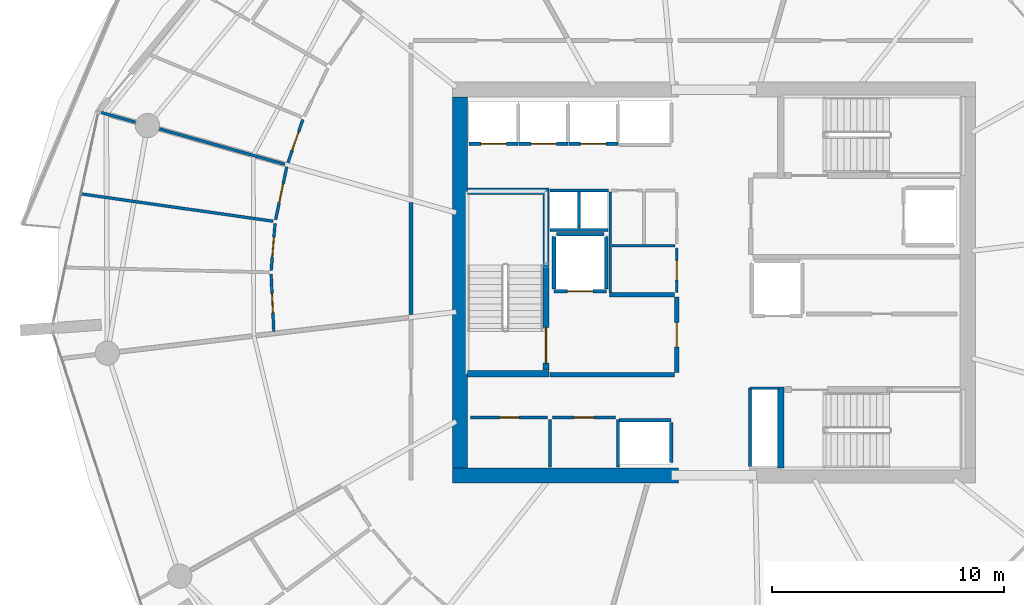
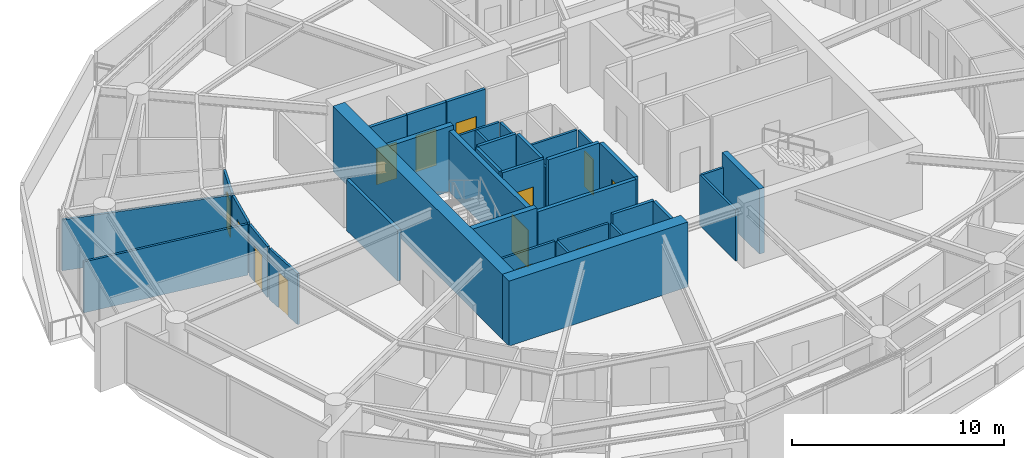
# One storey, part 12 of 21: 37 walls, 13 doors, 13 openings.
"""IFC4 building model written with IfcOpenShell, lengths in metres."""

from ifc_helpers import new_model, si_unit, direction, frame, frame_2d, origin, place, context, subcontext, project, spatial, rectangle, extrude, material, layer, layer_set, type_object, element, fill, save


model = new_model("IFC4")

# Units and contexts
model_context = context("Model", 3, precision=1e-05, world=origin(), true_north=direction((0.0, 1.0)))
body_context = subcontext(model_context, "Body", "Model", "MODEL_VIEW")
ifc_project = project(units=[si_unit("LENGTHUNIT", "METRE"), si_unit("AREAUNIT", "SQUARE_METRE"), si_unit("VOLUMEUNIT", "CUBIC_METRE"), si_unit("PLANEANGLEUNIT", "RADIAN"), si_unit("MASSUNIT", "GRAM", prefix="KILO")], contexts=[model_context])

# Site, building, storey
site_placement = place(None, origin())
site = spatial("IfcSite", under=ifc_project, at=site_placement, CompositionType="ELEMENT")
building_placement = place(site_placement, origin())
building = spatial("IfcBuilding", under=site, at=building_placement, Name="Kazma Halo Residences", CompositionType="ELEMENT")
storey_placement = place(building_placement, frame((0.0, 0.0, 180.300048828125)))
storey = spatial("IfcBuildingStorey", under=building, at=storey_placement, Name="L45", CompositionType="ELEMENT", Elevation=180.300048828125)

# Walls
ifc_material_1 = material(Name="Concrete C60/75", Category="concrete")
ifc_layer_1 = layer(ifc_material_1, 0.64990234375)
ifc_layer_set_1 = layer_set([ifc_layer_1], Name="Concrete C60/75")
wall_type_1 = type_object("IfcWallType", Name="WL-CORE-650", PredefinedType="SHEAR", material=ifc_layer_set_1)
wall_1_placement = place(storey_placement, frame((37.14990234375, 33.675048828125, 0.0), z_axis=(0.0, 0.0, 1.0), x_axis=(1.0, 0.0, 0.0)))
element("IfcWall", 1, at=wall_1_placement, inside=storey, type_object=wall_type_1, Name="L45 central core shear wall SW", PredefinedType="SHEAR", context=body_context, shape_type="SweptSolid", body=[
    extrude(rectangle(XDim=9.75, YDim=0.64990234375, at=frame_2d((4.875, 0.0))), origin(), (0.0, 0.0, 1.0), 3.75),
])
wall_2_placement = place(storey_placement, frame((37.47509765625, 34.0, 0.0), z_axis=(0.0, 0.0, 1.0), x_axis=(0.0, 1.0, 0.0)))
element("IfcWall", 2, at=wall_2_placement, inside=storey, type_object=wall_type_1, Name="L45 central core shear wall W", PredefinedType="SHEAR", context=body_context, shape_type="SweptSolid", body=[
    extrude(rectangle(XDim=16.0, YDim=0.64990234375, at=frame_2d((8.0, 0.0))), origin(), (0.0, 0.0, 1.0), 3.75),
])
ifc_layer_2 = layer(ifc_material_1, 0.280029296875)
ifc_layer_set_2 = layer_set([ifc_layer_2], Name="Concrete C60/75")
wall_type_2 = type_object("IfcWallType", Name="WL-CORE-ST-280", PredefinedType="SHEAR", material=ifc_layer_set_2)
for number, where, z_axis, x_axis, name in (
    (3, (37.800048828125, 38.06005859375, 0.0), (0.0, 0.0, 1.0), (1.0, 0.0, 0.0), "L45 stairwell bearing wall ST01-S"),
    (4, (37.800048828125, 45.93994140625, 0.0), (0.0, 0.0, 1.0), (1.0, 0.0, 0.0), "L45 stairwell bearing wall ST01-N"),
    (5, (51.31005859375, 34.0, 0.0), (0.0, 0.0, 1.0), (0.0, 1.0, 0.0), "L45 stairwell bearing wall ST03-W"),
):
    element("IfcWall", number, at=place(storey_placement, frame(where, z_axis=z_axis, x_axis=x_axis)), inside=storey, type_object=wall_type_2, Name=name, PredefinedType="SHEAR", context=body_context, shape_type="SweptSolid", body=[
        extrude(rectangle(XDim=3.5, YDim=0.280029296875, at=frame_2d((1.75, 0.0))), origin(), (0.0, 0.0, 1.0), 3.75),
    ])
ifc_material_2 = material(Name="Acoustic Twin-Stud Gypsum")
ifc_layer_3 = layer(ifc_material_2, 0.179931640625)
ifc_layer_set_3 = layer_set([ifc_layer_3], Name="Acoustic Twin-Stud Gypsum")
wall_type_3 = type_object("IfcWallType", Name="WL-DEM-180", PredefinedType="PARTITIONING", material=ifc_layer_set_3)
wall_3_placement = place(storey_placement, frame((35.35009765625, 45.44775390625, 0.0), z_axis=(0.0, 0.0, 1.0), x_axis=(0.0, -1.0, 0.0)))
element("IfcWall", 6, at=wall_3_placement, inside=storey, type_object=wall_type_3, Name="L45 Apartment 2 inner wall 6", PredefinedType="PARTITIONING", context=body_context, shape_type="SweptSolid", body=[
    extrude(rectangle(XDim=4.824951171875, YDim=0.179931640625, at=frame_2d((2.41259765625, 0.0))), origin(), (0.0, 0.0, 1.0), 2.93994140625),
])

# Wall, opening, door
ifc_material_3 = material(Name="Fire-Rated Blockwork Masonry", Category="masonry")
ifc_layer_4 = layer(ifc_material_3, 0.199951171875)
ifc_layer_set_4 = layer_set([ifc_layer_4], Name="Fire-Rated Blockwork Masonry")
wall_type_4 = type_object("IfcWallType", Name="WL-FLB-200", PredefinedType="PARTITIONING", material=ifc_layer_set_4)
wall_4_placement = place(storey_placement, frame((39.97509765625, 47.9951171875, 0.0), z_axis=(0.0, 0.0, 1.0), x_axis=(-1.0, 0.0, 0.0)))
wall_4 = element("IfcWall", 7, at=wall_4_placement, inside=storey, type_object=wall_type_4, Name="L45 lift shaft PM-01 front wall", PredefinedType="PARTITIONING", context=body_context, shape_type="SweptSolid", body=[
    extrude(rectangle(XDim=2.110107421875, YDim=0.159912109375, at=frame_2d((1.05517578125, 0.0))), origin(), (0.0, 0.0, 1.0), 3.5),
])
opening_1_placement = place(wall_4_placement, frame((0.5048828125, 0.0, 0.0)))
opening_1 = element("IfcOpeningElement", 8, at=opening_1_placement, cuts=wall_4, Name="Opening LD-PM-01", PredefinedType="OPENING", context=body_context, shape_type="SweptSolid", body=[
    extrude(rectangle(XDim=1.10009765625, YDim=2.10009765625, at=frame_2d((0.550048828125, 1.050048828125))), frame((0.0, 0.08984375, 0.0), z_axis=(0.0, -1.0, 0.0), x_axis=(1.0, 0.0, 0.0)), (0.0, 0.0, 1.0), 0.179931640625),
])
ifc_material_4 = material(Name="Stainless Steel Fire-Rated", Category="steel")
door_type_1 = type_object("IfcDoorType", Name="DR-LIFT-SLD-1100", OperationType="DOUBLE_DOOR_SLIDING", PredefinedType="DOOR", material=ifc_material_4)
door_1_placement = place(opening_1_placement, origin())
door_1 = element("IfcDoor", 9, at=door_1_placement, inside=storey, type_object=door_type_1, Name="L45 lift PM-01 sliding landing door", OperationType="DOUBLE_DOOR_SLIDING", OverallHeight=2.10009765625, OverallWidth=1.10009765625, PredefinedType="DOOR", context=body_context, shape_type="SweptSolid", body=[
    extrude(rectangle(XDim=1.10009765625, YDim=2.10009765625, at=frame_2d((0.550048828125, 1.050048828125))), frame((0.0, 0.02490234375, 0.0), z_axis=(0.0, -1.0, 0.0), x_axis=(1.0, 0.0, 0.0)), (0.0, 0.0, 1.0), 0.050048828125),
])
fill(opening_1, door_1)

wall_5_placement = place(storey_placement, frame((42.125, 47.9951171875, 0.0), z_axis=(0.0, 0.0, 1.0), x_axis=(-1.0, 0.0, 0.0)))
wall_5 = element("IfcWall", 10, at=wall_5_placement, inside=storey, type_object=wall_type_4, Name="L45 lift shaft PM-02 front wall", PredefinedType="PARTITIONING", context=body_context, shape_type="SweptSolid", body=[
    extrude(rectangle(XDim=2.110107421875, YDim=0.159912109375, at=frame_2d((1.05517578125, 0.0))), origin(), (0.0, 0.0, 1.0), 3.5),
])
opening_2_placement = place(wall_5_placement, frame((0.5048828125, 0.0, 0.0)))
opening_2 = element("IfcOpeningElement", 11, at=opening_2_placement, cuts=wall_5, Name="Opening LD-PM-02", PredefinedType="OPENING", context=body_context, shape_type="SweptSolid", body=[
    extrude(rectangle(XDim=1.10009765625, YDim=2.10009765625, at=frame_2d((0.550048828125, 1.050048828125))), frame((0.0, 0.08984375, 0.0), z_axis=(0.0, -1.0, 0.0), x_axis=(1.0, 0.0, 0.0)), (0.0, 0.0, 1.0), 0.179931640625),
])
door_2_placement = place(opening_2_placement, origin())
door_2 = element("IfcDoor", 12, at=door_2_placement, inside=storey, type_object=door_type_1, Name="L45 lift PM-02 sliding landing door", OperationType="DOUBLE_DOOR_SLIDING", OverallHeight=2.10009765625, OverallWidth=1.10009765625, PredefinedType="DOOR", context=body_context, shape_type="SweptSolid", body=[
    extrude(rectangle(XDim=1.10009765625, YDim=2.10009765625, at=frame_2d((0.550048828125, 1.050048828125))), frame((0.0, 0.02490234375, 0.0), z_axis=(0.0, -1.0, 0.0), x_axis=(1.0, 0.0, 0.0)), (0.0, 0.0, 1.0), 0.050048828125),
])
fill(opening_2, door_2)

wall_6_placement = place(storey_placement, frame((44.27490234375, 47.9951171875, 0.0), z_axis=(0.0, 0.0, 1.0), x_axis=(-1.0, 0.0, 0.0)))
wall_6 = element("IfcWall", 13, at=wall_6_placement, inside=storey, type_object=wall_type_4, Name="L45 lift shaft PM-03 front wall", PredefinedType="PARTITIONING", context=body_context, shape_type="SweptSolid", body=[
    extrude(rectangle(XDim=2.10986328125, YDim=0.159912109375, at=frame_2d((1.054931640625, 0.0))), origin(), (0.0, 0.0, 1.0), 3.5),
])
opening_3_placement = place(wall_6_placement, frame((0.5048828125, 0.0, 0.0)))
opening_3 = element("IfcOpeningElement", 14, at=opening_3_placement, cuts=wall_6, Name="Opening LD-PM-03", PredefinedType="OPENING", context=body_context, shape_type="SweptSolid", body=[
    extrude(rectangle(XDim=1.10009765625, YDim=2.10009765625, at=frame_2d((0.550048828125, 1.050048828125))), frame((0.0, 0.08984375, 0.0), z_axis=(0.0, -1.0, 0.0), x_axis=(1.0, 0.0, 0.0)), (0.0, 0.0, 1.0), 0.179931640625),
])
door_3_placement = place(opening_3_placement, origin())
door_3 = element("IfcDoor", 15, at=door_3_placement, inside=storey, type_object=door_type_1, Name="L45 lift PM-03 sliding landing door", OperationType="DOUBLE_DOOR_SLIDING", OverallHeight=2.10009765625, OverallWidth=1.10009765625, PredefinedType="DOOR", context=body_context, shape_type="SweptSolid", body=[
    extrude(rectangle(XDim=1.10009765625, YDim=2.10009765625, at=frame_2d((0.550048828125, 1.050048828125))), frame((0.0, 0.02490234375, 0.0), z_axis=(0.0, -1.0, 0.0), x_axis=(1.0, 0.0, 0.0)), (0.0, 0.0, 1.0), 0.050048828125),
])
fill(opening_3, door_3)

# Walls
wall_7_placement = place(storey_placement, frame((44.320068359375, 36.054931640625, 0.0), z_axis=(0.0, 0.0, 1.0), x_axis=(1.0, 0.0, 0.0)))
element("IfcWall", 16, at=wall_7_placement, inside=storey, type_object=wall_type_4, Name="L45 lift shaft PX-02 front wall", PredefinedType="PARTITIONING", context=body_context, shape_type="SweptSolid", body=[
    extrude(rectangle(XDim=2.260009765625, YDim=0.159912109375, at=frame_2d((1.1298828125, 0.0))), origin(), (0.0, 0.0, 1.0), 3.5),
])
wall_8_placement = place(storey_placement, frame((46.580078125, 34.2451171875, 0.0), z_axis=(0.0, 0.0, 1.0), x_axis=(0.0, 1.0, 0.0)))
element("IfcWall", 17, at=wall_8_placement, inside=storey, type_object=wall_type_4, Name="L45 lift shaft PX-02 side wall E", PredefinedType="PARTITIONING", context=body_context, shape_type="SweptSolid", body=[
    extrude(rectangle(XDim=1.7099609375, YDim=0.159912109375, at=frame_2d((0.85498046875, 0.0))), origin(), (0.0, 0.0, 1.0), 3.5),
])

# Wall, opening, door
wall_9_placement = place(storey_placement, frame((43.780029296875, 41.6201171875, 0.0), z_axis=(0.0, 0.0, 1.0), x_axis=(-1.0, 0.0, 0.0)))
wall_9 = element("IfcWall", 18, at=wall_9_placement, inside=storey, type_object=wall_type_4, Name="L45 lift shaft FL-01 front wall", PredefinedType="PARTITIONING", context=body_context, shape_type="SweptSolid", body=[
    extrude(rectangle(XDim=2.260009765625, YDim=0.159912109375, at=frame_2d((1.1298828125, 0.0))), origin(), (0.0, 0.0, 1.0), 3.5),
])
opening_4_placement = place(wall_9_placement, frame((0.580078125, 0.0, 0.0)))
opening_4 = element("IfcOpeningElement", 19, at=opening_4_placement, cuts=wall_9, Name="Opening LD-FL-01", PredefinedType="OPENING", context=body_context, shape_type="SweptSolid", body=[
    extrude(rectangle(XDim=1.10009765625, YDim=2.10009765625, at=frame_2d((0.550048828125, 1.050048828125))), frame((0.0, 0.08984375, 0.0), z_axis=(0.0, -1.0, 0.0), x_axis=(1.0, 0.0, 0.0)), (0.0, 0.0, 1.0), 0.179931640625),
])
door_4_placement = place(opening_4_placement, origin())
door_4 = element("IfcDoor", 20, at=door_4_placement, inside=storey, type_object=door_type_1, Name="L45 lift FL-01 sliding landing door", OperationType="DOUBLE_DOOR_SLIDING", OverallHeight=2.10009765625, OverallWidth=1.10009765625, PredefinedType="DOOR", context=body_context, shape_type="SweptSolid", body=[
    extrude(rectangle(XDim=1.10009765625, YDim=2.10009765625, at=frame_2d((0.550048828125, 1.050048828125))), frame((0.0, 0.02490234375, 0.0), z_axis=(0.0, -1.0, 0.0), x_axis=(1.0, 0.0, 0.0)), (0.0, 0.0, 1.0), 0.050048828125),
])
fill(opening_4, door_4)

# Walls
for number, where, z_axis, x_axis, name in (
    (21, (43.780029296875, 41.719970703125, 0.0), (0.0, 0.0, 1.0), (0.0, 1.0, 0.0), "L45 lift shaft FL-01 side wall E"),
    (22, (41.52001953125, 41.719970703125, 0.0), (0.0, 0.0, 1.0), (0.0, 1.0, 0.0), "L45 lift shaft FL-01 side wall W"),
):
    element("IfcWall", number, at=place(storey_placement, frame(where, z_axis=z_axis, x_axis=x_axis)), inside=storey, type_object=wall_type_4, Name=name, PredefinedType="PARTITIONING", context=body_context, shape_type="SweptSolid", body=[
        extrude(rectangle(XDim=2.260009765625, YDim=0.159912109375, at=frame_2d((1.1298828125, 0.0))), origin(), (0.0, 0.0, 1.0), 3.5),
    ])
wall_10_placement = place(storey_placement, frame((41.6201171875, 44.080078125, 0.0), z_axis=(0.0, 0.0, 1.0), x_axis=(1.0, 0.0, 0.0)))
element("IfcWall", 23, at=wall_10_placement, inside=storey, type_object=wall_type_4, Name="L45 lift shaft FL-01 side wall N", PredefinedType="PARTITIONING", context=body_context, shape_type="SweptSolid", body=[
    extrude(rectangle(XDim=2.059814453125, YDim=0.159912109375, at=frame_2d((1.02978515625, 0.0))), origin(), (0.0, 0.0, 1.0), 3.5),
])
wall_11_placement = place(storey_placement, frame((41.35009765625, 38.02001953125, 0.0), z_axis=(0.0, 0.0, 1.0), x_axis=(1.0, 0.0, 0.0)))
element("IfcWall", 24, at=wall_11_placement, inside=storey, type_object=wall_type_4, Name="L45 west firefighting lobby south smoke wall", PredefinedType="PARTITIONING", context=body_context, shape_type="SweptSolid", body=[
    extrude(rectangle(XDim=5.369873046875, YDim=0.199951171875, at=frame_2d((2.68505859375, 0.0))), origin(), (0.0, 0.0, 1.0), 3.5),
])
wall_12_placement = place(storey_placement, frame((43.919921875, 41.47998046875, 0.0), z_axis=(0.0, 0.0, 1.0), x_axis=(1.0, 0.0, 0.0)))
element("IfcWall", 25, at=wall_12_placement, inside=storey, type_object=wall_type_4, Name="L45 west firefighting lobby north smoke wall", PredefinedType="PARTITIONING", context=body_context, shape_type="SweptSolid", body=[
    extrude(rectangle(XDim=2.800048828125, YDim=0.199951171875, at=frame_2d((1.39990234375, 0.0))), origin(), (0.0, 0.0, 1.0), 3.5),
])

# Wall, opening, door
wall_13_placement = place(storey_placement, frame((46.820068359375, 38.1201171875, 0.0), z_axis=(0.0, 0.0, 1.0), x_axis=(0.0, 1.0, 0.0)))
wall_13 = element("IfcWall", 26, at=wall_13_placement, inside=storey, type_object=wall_type_4, Name="L45 west firefighting lobby smoke wall", PredefinedType="PARTITIONING", context=body_context, shape_type="SweptSolid", body=[
    extrude(rectangle(XDim=3.259765625, YDim=0.199951171875, at=frame_2d((1.6298828125, 0.0))), origin(), (0.0, 0.0, 1.0), 3.5),
])
opening_5_placement = place(wall_13_placement, frame((1.10498046875, 0.0, 0.0)))
opening_5 = element("IfcOpeningElement", 27, at=opening_5_placement, cuts=wall_13, Name="Opening D-FLW", PredefinedType="OPENING", context=body_context, shape_type="SweptSolid", body=[
    extrude(rectangle(XDim=1.050048828125, YDim=2.10009765625, at=frame_2d((0.52490234375, 1.050048828125))), frame((0.0, 0.10986328125, 0.0), z_axis=(0.0, -1.0, 0.0), x_axis=(1.0, 0.0, 0.0)), (0.0, 0.0, 1.0), 0.219970703125),
])
ifc_material_5 = material(Name="Fire-Rated Steel Leaf", Category="steel")
door_type_2 = type_object("IfcDoorType", Name="DR-FD90-1050", OperationType="NOTDEFINED", PredefinedType="DOOR", material=ifc_material_5)
door_5_placement = place(opening_5_placement, origin())
door_5 = element("IfcDoor", 28, at=door_5_placement, inside=storey, type_object=door_type_2, Name="L45 west firefighting lobby smoke door", OperationType="SINGLE_SWING_RIGHT", OverallHeight=2.10009765625, OverallWidth=1.050048828125, PredefinedType="DOOR", context=body_context, shape_type="SweptSolid", body=[
    extrude(rectangle(XDim=1.050048828125, YDim=2.10009765625, at=frame_2d((0.52490234375, 1.050048828125))), frame((0.0, 0.02490234375, 0.0), z_axis=(0.0, -1.0, 0.0), x_axis=(1.0, 0.0, 0.0)), (0.0, 0.0, 1.0), 0.050048828125),
])
fill(opening_5, door_5)

# Walls
ifc_material_6 = material(Name="Gypsum Plasterboard Partition")
ifc_layer_5 = layer(ifc_material_6, 0.125)
ifc_layer_set_5 = layer_set([ifc_layer_5], Name="Gypsum Plasterboard Partition")
wall_type_5 = type_object("IfcWallType", Name="WL-PART-125", PredefinedType="PARTITIONING", material=ifc_layer_set_5)
for number, where, z_axis, x_axis, name in (
    (29, (44.280029296875, 34.050048828125, 0.0), (0.0, 0.0, 1.0), (0.0, 1.0, 0.0), "L45 reclaimed south east wall"),
    (30, (41.35009765625, 34.050048828125, 0.0), (0.0, 0.0, 1.0), (0.0, 1.0, 0.0), "L45 reclaimed south divider wall"),
):
    element("IfcWall", number, at=place(storey_placement, frame(where, z_axis=z_axis, x_axis=x_axis)), inside=storey, type_object=wall_type_5, Name=name, PredefinedType="PARTITIONING", context=body_context, shape_type="SweptSolid", body=[
        extrude(rectangle(XDim=2.030029296875, YDim=0.125, at=frame_2d((1.01513671875, 0.0))), origin(), (0.0, 0.0, 1.0), 2.93994140625),
    ])

# Wall, opening, door
wall_14_placement = place(storey_placement, frame((37.919921875, 36.179931640625, 0.0), z_axis=(0.0, 0.0, 1.0), x_axis=(1.0, 0.0, 0.0)))
wall_14 = element("IfcWall", 31, at=wall_14_placement, inside=storey, type_object=wall_type_5, Name="L45 reclaimed south W front wall", PredefinedType="PARTITIONING", context=body_context, shape_type="SweptSolid", body=[
    extrude(rectangle(XDim=3.330078125, YDim=0.125, at=frame_2d((1.6650390625, 0.0))), origin(), (0.0, 0.0, 1.0), 2.93994140625),
])
opening_6_placement = place(wall_14_placement, frame((1.239990234375, 0.0, 0.0)))
opening_6 = element("IfcOpeningElement", 32, at=opening_6_placement, cuts=wall_14, Name="Opening DS-850", PredefinedType="OPENING", context=body_context, shape_type="SweptSolid", body=[
    extrude(rectangle(XDim=0.85009765625, YDim=2.06005859375, at=frame_2d((0.425048828125, 1.030029296875))), frame((0.0, 0.072509765625, 0.0), z_axis=(0.0, -1.0, 0.0), x_axis=(1.0, 0.0, 0.0)), (0.0, 0.0, 1.0), 0.14501953125),
])
ifc_material_7 = material(Name="Painted Steel Access Leaf", Category="steel")
door_type_3 = type_object("IfcDoorType", Name="DR-SVC-850", OperationType="NOTDEFINED", PredefinedType="DOOR", material=ifc_material_7)
door_6_placement = place(opening_6_placement, origin())
door_6 = element("IfcDoor", 33, at=door_6_placement, inside=storey, type_object=door_type_3, Name="L45 reclaimed south W door", OperationType="SINGLE_SWING_RIGHT", OverallHeight=2.06005859375, OverallWidth=0.85009765625, PredefinedType="DOOR", context=body_context, shape_type="SweptSolid", body=[
    extrude(rectangle(XDim=0.85009765625, YDim=2.06005859375, at=frame_2d((0.425048828125, 1.030029296875))), frame((0.0, 0.02490234375, 0.0), z_axis=(0.0, -1.0, 0.0), x_axis=(1.0, 0.0, 0.0)), (0.0, 0.0, 1.0), 0.050048828125),
])
fill(opening_6, door_6)

wall_15_placement = place(storey_placement, frame((41.449951171875, 36.179931640625, 0.0), z_axis=(0.0, 0.0, 1.0), x_axis=(1.0, 0.0, 0.0)))
wall_15 = element("IfcWall", 34, at=wall_15_placement, inside=storey, type_object=wall_type_5, Name="L45 reclaimed south E front wall", PredefinedType="PARTITIONING", context=body_context, shape_type="SweptSolid", body=[
    extrude(rectangle(XDim=2.72998046875, YDim=0.125, at=frame_2d((1.364990234375, 0.0))), origin(), (0.0, 0.0, 1.0), 2.93994140625),
])
opening_7_placement = place(wall_15_placement, frame((0.93994140625, 0.0, 0.0)))
opening_7 = element("IfcOpeningElement", 35, at=opening_7_placement, cuts=wall_15, Name="Opening DS-850", PredefinedType="OPENING", context=body_context, shape_type="SweptSolid", body=[
    extrude(rectangle(XDim=0.85009765625, YDim=2.06005859375, at=frame_2d((0.425048828125, 1.030029296875))), frame((0.0, 0.072509765625, 0.0), z_axis=(0.0, -1.0, 0.0), x_axis=(1.0, 0.0, 0.0)), (0.0, 0.0, 1.0), 0.14501953125),
])
door_7_placement = place(opening_7_placement, origin())
door_7 = element("IfcDoor", 36, at=door_7_placement, inside=storey, type_object=door_type_3, Name="L45 reclaimed south E door", OperationType="SINGLE_SWING_LEFT", OverallHeight=2.06005859375, OverallWidth=0.85009765625, PredefinedType="DOOR", context=body_context, shape_type="SweptSolid", body=[
    extrude(rectangle(XDim=0.85009765625, YDim=2.06005859375, at=frame_2d((0.425048828125, 1.030029296875))), frame((0.0, 0.02490234375, 0.0), z_axis=(0.0, -1.0, 0.0), x_axis=(1.0, 0.0, 0.0)), (0.0, 0.0, 1.0), 0.050048828125),
])
fill(opening_7, door_7)

# Walls
wall_16_placement = place(storey_placement, frame((41.360107421875, 44.260009765625, 0.0), z_axis=(0.0, 0.0, 1.0), x_axis=(1.0, 0.0, 0.0)))
element("IfcWall", 37, at=wall_16_placement, inside=storey, type_object=wall_type_5, Name="L45 core riser south wall", PredefinedType="PARTITIONING", context=body_context, shape_type="SweptSolid", body=[
    extrude(rectangle(XDim=2.5, YDim=0.125, at=frame_2d((1.25, 0.0))), origin(), (0.0, 0.0, 1.0), 2.93994140625),
])
wall_17_placement = place(storey_placement, frame((42.60009765625, 44.35009765625, 0.0), z_axis=(0.0, 0.0, 1.0), x_axis=(0.0, 1.0, 0.0)))
element("IfcWall", 38, at=wall_17_placement, inside=storey, type_object=wall_type_5, Name="L45 core riser divider wall", PredefinedType="PARTITIONING", context=body_context, shape_type="SweptSolid", body=[
    extrude(rectangle(XDim=1.5498046875, YDim=0.125, at=frame_2d((0.77490234375, 0.0))), origin(), (0.0, 0.0, 1.0), 2.93994140625),
])
wall_18_placement = place(storey_placement, frame((49.97998046875, 34.06005859375, 0.0), z_axis=(0.0, 0.0, 1.0), x_axis=(0.0, 1.0, 0.0)))
element("IfcWall", 39, at=wall_18_placement, inside=storey, type_object=wall_type_5, Name="L45 standpipe riser wall", PredefinedType="PARTITIONING", context=body_context, shape_type="SweptSolid", body=[
    extrude(rectangle(XDim=3.39990234375, YDim=0.125, at=frame_2d((1.699951171875, 0.0))), origin(), (0.0, 0.0, 1.0), 2.93994140625),
])
wall_19_placement = place(storey_placement, frame((49.97998046875, 37.43994140625, 0.0), z_axis=(0.0, 0.0, 1.0), x_axis=(1.0, 0.0, 0.0)))
element("IfcWall", 40, at=wall_19_placement, inside=storey, type_object=wall_type_5, Name="L45 standpipe riser north wall", PredefinedType="PARTITIONING", context=body_context, shape_type="SweptSolid", body=[
    extrude(rectangle(XDim=1.260009765625, YDim=0.125, at=frame_2d((0.6298828125, 0.0))), origin(), (0.0, 0.0, 1.0), 2.93994140625),
])
wall_20_placement = place(storey_placement, frame((43.949951171875, 41.580078125, 0.0), z_axis=(0.0, 0.0, 1.0), x_axis=(0.0, 1.0, 0.0)))
element("IfcWall", 41, at=wall_20_placement, inside=storey, type_object=wall_type_5, Name="L45 core service west wall", PredefinedType="PARTITIONING", context=body_context, shape_type="SweptSolid", body=[
    extrude(rectangle(XDim=4.31982421875, YDim=0.125, at=frame_2d((2.159912109375, 0.0))), origin(), (0.0, 0.0, 1.0), 2.93994140625),
])
wall_21_placement = place(storey_placement, frame((44.030029296875, 43.590087890625, 0.0), z_axis=(0.0, 0.0, 1.0), x_axis=(1.0, 0.0, 0.0)))
element("IfcWall", 42, at=wall_21_placement, inside=storey, type_object=wall_type_5, Name="L45 core service horiz divider", PredefinedType="PARTITIONING", context=body_context, shape_type="SweptSolid", body=[
    extrude(rectangle(XDim=2.7099609375, YDim=0.125, at=frame_2d((1.35498046875, 0.0))), origin(), (0.0, 0.0, 1.0), 2.93994140625),
])

# Wall, opening, door
wall_22_placement = place(storey_placement, frame((46.820068359375, 41.580078125, 0.0), z_axis=(0.0, 0.0, 1.0), x_axis=(0.0, 1.0, 0.0)))
wall_22 = element("IfcWall", 43, at=wall_22_placement, inside=storey, type_object=wall_type_5, Name="L45 refuse room east wall", PredefinedType="PARTITIONING", context=body_context, shape_type="SweptSolid", body=[
    extrude(rectangle(XDim=1.909912109375, YDim=0.125, at=frame_2d((0.955078125, 0.0))), origin(), (0.0, 0.0, 1.0), 2.93994140625),
])
opening_8_placement = place(wall_22_placement, frame((0.530029296875, 0.0, 0.0)))
opening_8 = element("IfcOpeningElement", 44, at=opening_8_placement, cuts=wall_22, Name="Opening DS-850", PredefinedType="OPENING", context=body_context, shape_type="SweptSolid", body=[
    extrude(rectangle(XDim=0.85009765625, YDim=2.06005859375, at=frame_2d((0.425048828125, 1.030029296875))), frame((0.0, 0.072509765625, 0.0), z_axis=(0.0, -1.0, 0.0), x_axis=(1.0, 0.0, 0.0)), (0.0, 0.0, 1.0), 0.14501953125),
])
door_8_placement = place(opening_8_placement, origin())
door_8 = element("IfcDoor", 45, at=door_8_placement, inside=storey, type_object=door_type_3, Name="L45 refuse room door", OperationType="SINGLE_SWING_RIGHT", OverallHeight=2.06005859375, OverallWidth=0.85009765625, PredefinedType="DOOR", context=body_context, shape_type="SweptSolid", body=[
    extrude(rectangle(XDim=0.85009765625, YDim=2.06005859375, at=frame_2d((0.425048828125, 1.030029296875))), frame((0.0, 0.02490234375, 0.0), z_axis=(0.0, -1.0, 0.0), x_axis=(1.0, 0.0, 0.0)), (0.0, 0.0, 1.0), 0.050048828125),
])
fill(opening_8, door_8)

# Wall
wall_23_placement = place(storey_placement, frame((41.35009765625, 45.97998046875, 0.0), z_axis=(0.0, 0.0, 1.0), x_axis=(1.0, 0.0, 0.0)))
element("IfcWall", 46, at=wall_23_placement, inside=storey, type_object=wall_type_5, Name="L45 core riser NW wall", PredefinedType="PARTITIONING", context=body_context, shape_type="SweptSolid", body=[
    extrude(rectangle(XDim=2.52978515625, YDim=0.125, at=frame_2d((1.264892578125, 0.0))), origin(), (0.0, 0.0, 1.0), 2.93994140625),
])

# Wall, opening, door
wall_24_placement = place(storey_placement, frame((30.6845703125, 49.03369140625, 0.0), z_axis=(0.0, 0.0, 1.0), x_axis=(-0.326417745918, -0.945225610714, 0.0)))
wall_24 = element("IfcWall", 47, at=wall_24_placement, inside=storey, type_object=wall_type_5, Name="L45 Apartment 2 Primary Bedroom hall wall", PredefinedType="PARTITIONING", context=body_context, shape_type="SweptSolid", body=[
    extrude(rectangle(XDim=1.97314453125, YDim=0.125, at=frame_2d((0.986572265625, 0.0))), origin(), (0.0, 0.0, 1.0), 2.93994140625),
])
opening_9_placement = place(wall_24_placement, frame((0.561279296875, 0.0, 0.0)))
opening_9 = element("IfcOpeningElement", 48, at=opening_9_placement, cuts=wall_24, Name="Opening DB-900", PredefinedType="OPENING", context=body_context, shape_type="SweptSolid", body=[
    extrude(rectangle(XDim=0.85009765625, YDim=2.06005859375, at=frame_2d((0.425048828125, 1.030029296875))), frame((0.0, 0.072509765625, 0.0), z_axis=(0.0, -1.0, 0.0), x_axis=(1.0, 0.0, 0.0)), (0.0, 0.0, 1.0), 0.14501953125),
])
ifc_material_8 = material(Name="Moisture-Sealed Timber Leaf", Category="wood")
door_type_4 = type_object("IfcDoorType", Name="DR-BTH-900", OperationType="NOTDEFINED", PredefinedType="DOOR", material=ifc_material_8)
door_9_placement = place(opening_9_placement, origin())
door_9 = element("IfcDoor", 49, at=door_9_placement, inside=storey, type_object=door_type_4, Name="L45 Apartment 2 Primary Bedroom door", OperationType="SINGLE_SWING_RIGHT", OverallHeight=2.06005859375, OverallWidth=0.85009765625, PredefinedType="DOOR", context=body_context, shape_type="SweptSolid", body=[
    extrude(rectangle(XDim=0.85009765625, YDim=2.06005859375, at=frame_2d((0.425048828125, 1.030029296875))), frame((0.0, 0.02490234375, 0.0), z_axis=(0.0, -1.0, 0.0), x_axis=(1.0, 0.0, 0.0)), (0.0, 0.0, 1.0), 0.050048828125),
])
fill(opening_9, door_9)

# Walls
wall_25_placement = place(storey_placement, frame((29.91162109375, 47.101318359375, 0.0), z_axis=(0.0, 0.0, 1.0), x_axis=(-0.962449080254, 0.271462277156, 0.0)))
element("IfcWall", 50, at=wall_25_placement, inside=storey, type_object=wall_type_5, Name="L45 Apartment 2 radial partition 6", PredefinedType="PARTITIONING", context=body_context, shape_type="SweptSolid", body=[
    extrude(rectangle(XDim=8.236328125, YDim=0.125, at=frame_2d((4.1181640625, 0.0))), origin(), (0.0, 0.0, 1.0), 2.93994140625),
])
wall_26_placement = place(storey_placement, frame((29.4033203125, 44.646728515625, 0.0), z_axis=(0.0, 0.0, 1.0), x_axis=(-0.990024722322, 0.140893751424, 0.0)))
element("IfcWall", 51, at=wall_26_placement, inside=storey, type_object=wall_type_5, Name="L45 Apartment 2 bay wall 1 6", PredefinedType="PARTITIONING", context=body_context, shape_type="SweptSolid", body=[
    extrude(rectangle(XDim=8.357177734375, YDim=0.125, at=frame_2d((4.1787109375, 0.0))), origin(), (0.0, 0.0, 1.0), 2.93994140625),
])

# Wall, opening, door
wall_27_placement = place(storey_placement, frame((29.991455078125, 46.99609375, 0.0), z_axis=(0.0, 0.0, 1.0), x_axis=(-0.206685184769, -0.978407499152, 0.0)))
wall_27 = element("IfcWall", 52, at=wall_27_placement, inside=storey, type_object=wall_type_5, Name="L45 Apartment 2 Primary Bedroom hall wall", PredefinedType="PARTITIONING", context=body_context, shape_type="SweptSolid", body=[
    extrude(rectangle(XDim=2.333984375, YDim=0.125, at=frame_2d((1.1669921875, 0.0))), origin(), (0.0, 0.0, 1.0), 2.93994140625),
])
opening_10_placement = place(wall_27_placement, frame((0.741943359375, 0.0, 0.0)))
opening_10 = element("IfcOpeningElement", 53, at=opening_10_placement, cuts=wall_27, Name="Opening DB-900", PredefinedType="OPENING", context=body_context, shape_type="SweptSolid", body=[
    extrude(rectangle(XDim=0.85009765625, YDim=2.06005859375, at=frame_2d((0.425048828125, 1.030029296875))), frame((0.0, 0.072509765625, 0.0), z_axis=(0.0, -1.0, 0.0), x_axis=(1.0, 0.0, 0.0)), (0.0, 0.0, 1.0), 0.14501953125),
])
door_10_placement = place(opening_10_placement, origin())
door_10 = element("IfcDoor", 54, at=door_10_placement, inside=storey, type_object=door_type_4, Name="L45 Apartment 2 Primary Bedroom door", OperationType="SINGLE_SWING_LEFT", OverallHeight=2.06005859375, OverallWidth=0.85009765625, PredefinedType="DOOR", context=body_context, shape_type="SweptSolid", body=[
    extrude(rectangle(XDim=0.85009765625, YDim=2.06005859375, at=frame_2d((0.425048828125, 1.030029296875))), frame((0.0, 0.02490234375, 0.0), z_axis=(0.0, -1.0, 0.0), x_axis=(1.0, 0.0, 0.0)), (0.0, 0.0, 1.0), 0.050048828125),
])
fill(opening_10, door_10)

wall_28_placement = place(storey_placement, frame((29.48583984375, 44.55419921875, 0.0), z_axis=(0.0, 0.0, 1.0), x_axis=(-0.082293137212, -0.99660816752, 0.0)))
wall_28 = element("IfcWall", 55, at=wall_28_placement, inside=storey, type_object=wall_type_5, Name="L45 Apartment 2 Secondary Study hall wall", PredefinedType="PARTITIONING", context=body_context, shape_type="SweptSolid", body=[
    extrude(rectangle(XDim=2.041015625, YDim=0.125, at=frame_2d((1.0205078125, 0.0))), origin(), (0.0, 0.0, 1.0), 2.93994140625),
])
opening_11_placement = place(wall_28_placement, frame((0.595703125, 0.0, 0.0)))
opening_11 = element("IfcOpeningElement", 56, at=opening_11_placement, cuts=wall_28, Name="Opening DB-900", PredefinedType="OPENING", context=body_context, shape_type="SweptSolid", body=[
    extrude(rectangle(XDim=0.85009765625, YDim=2.06005859375, at=frame_2d((0.425048828125, 1.030029296875))), frame((0.0, 0.072509765625, 0.0), z_axis=(0.0, -1.0, 0.0), x_axis=(1.0, 0.0, 0.0)), (0.0, 0.0, 1.0), 0.14501953125),
])
door_11_placement = place(opening_11_placement, origin())
door_11 = element("IfcDoor", 57, at=door_11_placement, inside=storey, type_object=door_type_4, Name="L45 Apartment 2 Secondary Study door", OperationType="SINGLE_SWING_RIGHT", OverallHeight=2.06005859375, OverallWidth=0.85009765625, PredefinedType="DOOR", context=body_context, shape_type="SweptSolid", body=[
    extrude(rectangle(XDim=0.85009765625, YDim=2.06005859375, at=frame_2d((0.425048828125, 1.030029296875))), frame((0.0, 0.02490234375, 0.0), z_axis=(0.0, -1.0, 0.0), x_axis=(1.0, 0.0, 0.0)), (0.0, 0.0, 1.0), 0.050048828125),
])
fill(opening_11, door_11)

wall_29_placement = place(storey_placement, frame((29.31494140625, 42.360595703125, 0.0), z_axis=(0.0, 0.0, 1.0), x_axis=(0.047144289587, -0.998888089808, 0.0)))
wall_29 = element("IfcWall", 58, at=wall_29_placement, inside=storey, type_object=wall_type_5, Name="L45 Apartment 2 East Bedroom hall wall", PredefinedType="PARTITIONING", context=body_context, shape_type="SweptSolid", body=[
    extrude(rectangle(XDim=2.48046875, YDim=0.125, at=frame_2d((1.240234375, 0.0))), origin(), (0.0, 0.0, 1.0), 2.93994140625),
])
opening_12_placement = place(wall_29_placement, frame((0.815185546875, 0.0, 0.0)))
opening_12 = element("IfcOpeningElement", 59, at=opening_12_placement, cuts=wall_29, Name="Opening DB-900", PredefinedType="OPENING", context=body_context, shape_type="SweptSolid", body=[
    extrude(rectangle(XDim=0.85009765625, YDim=2.06005859375, at=frame_2d((0.425048828125, 1.030029296875))), frame((0.0, 0.072509765625, 0.0), z_axis=(0.0, -1.0, 0.0), x_axis=(1.0, 0.0, 0.0)), (0.0, 0.0, 1.0), 0.14501953125),
])
door_12_placement = place(opening_12_placement, origin())
door_12 = element("IfcDoor", 60, at=door_12_placement, inside=storey, type_object=door_type_4, Name="L45 Apartment 2 East Bedroom door", OperationType="SINGLE_SWING_LEFT", OverallHeight=2.06005859375, OverallWidth=0.85009765625, PredefinedType="DOOR", context=body_context, shape_type="SweptSolid", body=[
    extrude(rectangle(XDim=0.85009765625, YDim=2.06005859375, at=frame_2d((0.425048828125, 1.030029296875))), frame((0.0, 0.02490234375, 0.0), z_axis=(0.0, -1.0, 0.0), x_axis=(1.0, 0.0, 0.0)), (0.0, 0.0, 1.0), 0.050048828125),
])
fill(opening_12, door_12)

ifc_material_9 = material(Name="Concrete C50/60", Category="concrete")
ifc_layer_6 = layer(ifc_material_9, 0.25)
ifc_layer_set_6 = layer_set([ifc_layer_6], Name="Concrete C50/60")
wall_type_6 = type_object("IfcWallType", Name="WL-SHF-250", PredefinedType="SOLIDWALL", material=ifc_layer_set_6)
wall_30_placement = place(storey_placement, frame((41.179931640625, 38.219970703125, 0.0), z_axis=(0.0, 0.0, 1.0), x_axis=(0.0, 1.0, 0.0)))
wall_30 = element("IfcWall", 61, at=wall_30_placement, inside=storey, type_object=wall_type_6, Name="L45 exit stair ST-01 enclosure wall", PredefinedType="SOLIDWALL", context=body_context, shape_type="SweptSolid", body=[
    extrude(rectangle(XDim=7.56005859375, YDim=0.25, at=frame_2d((3.780029296875, 0.0))), origin(), (0.0, 0.0, 1.0), 3.5),
])
opening_13_placement = place(wall_30_placement, frame((0.300048828125, 0.0, 0.0)))
opening_13 = element("IfcOpeningElement", 62, at=opening_13_placement, cuts=wall_30, Name="Opening D-ST1", PredefinedType="OPENING", context=body_context, shape_type="SweptSolid", body=[
    extrude(rectangle(XDim=1.550048828125, YDim=2.14990234375, at=frame_2d((0.77490234375, 1.074951171875))), frame((0.0, 0.135009765625, 0.0), z_axis=(0.0, -1.0, 0.0), x_axis=(1.0, 0.0, 0.0)), (0.0, 0.0, 1.0), 0.27001953125),
])
ifc_material_10 = material(Name="Fire-Rated Double Steel Leaf", Category="steel")
door_type_5 = type_object("IfcDoorType", Name="DR-FD90-1550", OperationType="NOTDEFINED", PredefinedType="DOOR", material=ifc_material_10)
door_13_placement = place(opening_13_placement, origin())
door_13 = element("IfcDoor", 63, at=door_13_placement, inside=storey, type_object=door_type_5, Name="L45 exit stair ST-01 fire door", OperationType="DOUBLE_DOOR_SINGLE_SWING", OverallHeight=2.14990234375, OverallWidth=1.550048828125, PredefinedType="DOOR", context=body_context, shape_type="SweptSolid", body=[
    extrude(rectangle(XDim=1.550048828125, YDim=2.14990234375, at=frame_2d((0.77490234375, 1.074951171875))), frame((0.0, 0.02490234375, 0.0), z_axis=(0.0, -1.0, 0.0), x_axis=(1.0, 0.0, 0.0)), (0.0, 0.0, 1.0), 0.050048828125),
])
fill(opening_13, door_13)

save(model, "model.ifc")
